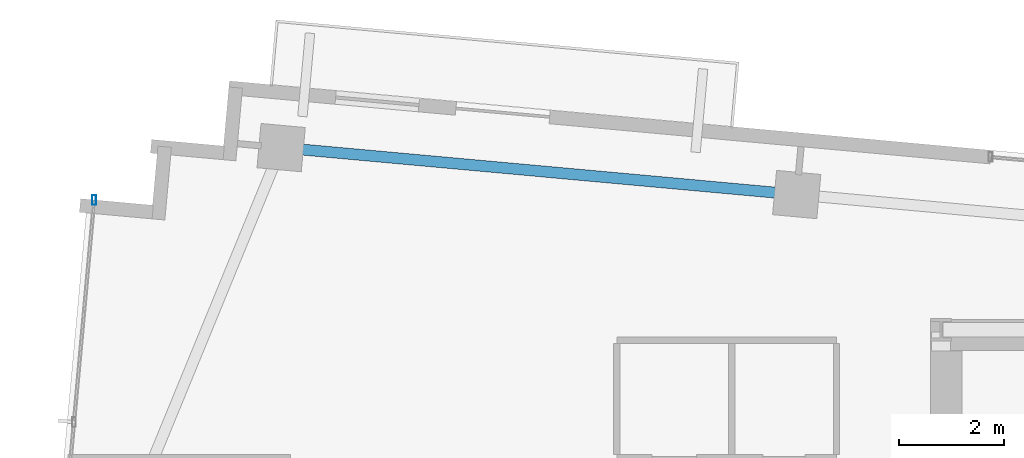
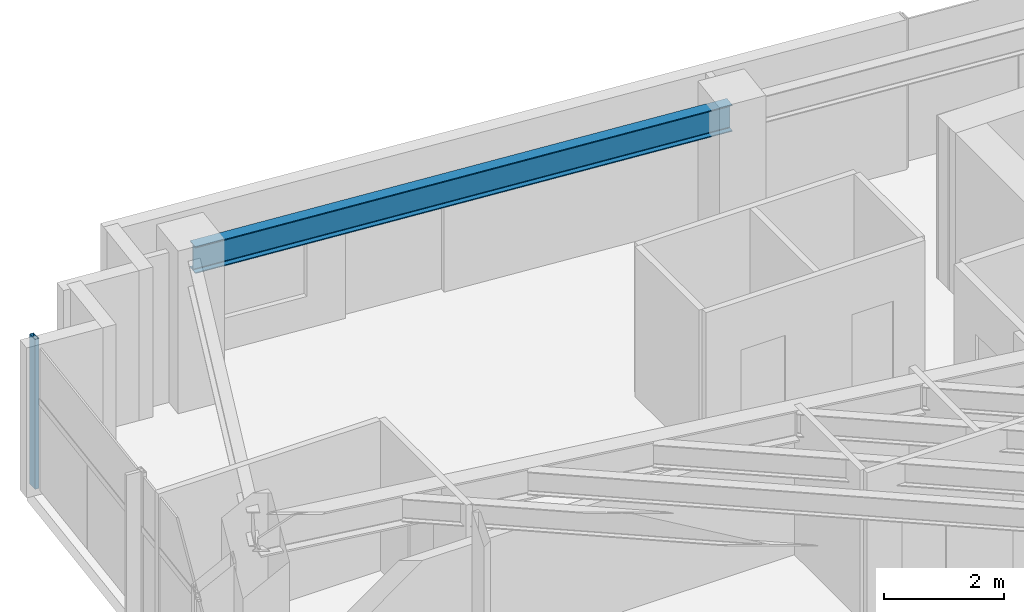
# One storey, part 9 of 22: 1 beam, 1 member, 1 element without a shape of its own.
"""IFC4 building model written with IfcOpenShell, lengths in metres."""

from ifc_helpers import new_model, si_unit, direction, frame, origin, origin_2d, place, context, subcontext, project, spatial, hollow_rectangle, i_section, extrude, source, transform, mapped, material, material_profile, profile_set, type_object, type_shapes, element, aggregate, save


model = new_model("IFC4")

# Units and contexts
model_context = context("Model", 3, precision=1e-05, world=origin(), true_north=direction((0.0, 1.0)))
body_context = subcontext(model_context, "Body", "Model", "MODEL_VIEW")
ifc_project = project(units=[si_unit("LENGTHUNIT", "METRE"), si_unit("AREAUNIT", "SQUARE_METRE"), si_unit("VOLUMEUNIT", "CUBIC_METRE"), si_unit("PLANEANGLEUNIT", "RADIAN"), si_unit("MASSUNIT", "GRAM", prefix="KILO")], contexts=[model_context])

# Site, building, storey
site_placement = place(None, origin())
site = spatial("IfcSite", under=ifc_project, at=site_placement, CompositionType="ELEMENT")
building_placement = place(site_placement, origin())
building = spatial("IfcBuilding", under=site, at=building_placement, Name="Astriad Promenade Condominiums", CompositionType="ELEMENT")
storey_placement = place(building_placement, frame((0.0, 0.0, 246.300048828125)))
storey = spatial("IfcBuildingStorey", under=building, at=storey_placement, Name="L71", CompositionType="ELEMENT", Elevation=246.300048828125)

# Beam
ifc_material_1 = material(Name="Steel ASTM A992 Grade 50", Category="steel")
ifc_material_profile_1 = material_profile(ifc_material_1, i_section(OverallWidth=0.210693359375, OverallDepth=0.53955078125, WebThickness=0.01171875, FlangeThickness=0.018798828125, FilletRadius=0.0166015625, at=origin_2d()), Name="W21X73")
ifc_profile_set_1 = profile_set([ifc_material_profile_1], Name="Steel ASTM A992 Grade 50")
beam_type = type_object("IfcBeamType", Name="STEEL SPANDREL BEAM W21X73", PredefinedType="SPANDREL", material=ifc_profile_set_1)
shared_shape_1 = source(origin(), body_context, "Body", "SweptSolid", [
    extrude(i_section(OverallWidth=0.210693359375, OverallDepth=0.53955078125, WebThickness=0.01171875, FlangeThickness=0.018798828125, FilletRadius=0.0166015625, at=origin_2d()), origin(), (0.0, 0.0, 1.0), 9.820068359375),
])
type_shapes(beam_type, [shared_shape_1])
beam_placement = place(storey_placement, frame((23.6005859375, 26.589111328125, 2.770263671875), z_axis=(-0.995883214993, 0.090645585088, 0.0), x_axis=(-0.090645585088, -0.995883214993, 0.0)))
element("IfcBeam", 1, at=beam_placement, inside=storey, type_object=beam_type, Name="Perimeter Spandrel Beam SP-N1-L71", PredefinedType="SPANDREL", context=body_context, shape_type="MappedRepresentation", body=[
    mapped(shared_shape_1, transform((0.0, 0.0, 0.0), scale=1.0)),
])

# Curtain wall, member
ifc_material_2 = material(Name="Anodised aluminium Black Dark Glass Unitised", Category="aluminium")
curtain_wall_type = type_object("IfcCurtainWallType", Name="CW-B5-DARK", PredefinedType="USERDEFINED", material=ifc_material_2)
curtain_wall_placement = place(storey_placement, origin())
curtain_wall = element("IfcCurtainWall", 2, at=curtain_wall_placement, inside=storey, type_object=curtain_wall_type, Name="CW-L71-W", ObjectType="UNITISED_CURTAIN_WALL", PredefinedType="USERDEFINED")
ifc_material_3 = material(Name="Anodised aluminium 6063-T6 Black", Category="aluminium")
ifc_material_profile_2 = material_profile(ifc_material_3, hollow_rectangle(XDim=0.074951171875, YDim=0.18505859375, WallThickness=0.00439453125, at=origin_2d()), Name="ALU-MUL-75X185")
ifc_profile_set_2 = profile_set([ifc_material_profile_2], Name="Anodised aluminium 6063-T6 Black")
member_type = type_object("IfcMemberType", Name="MUL-ALU-MUL-75X185", PredefinedType="MULLION", material=ifc_profile_set_2)
shared_shape_2 = source(origin(), body_context, "Body", "SweptSolid", [
    extrude(hollow_rectangle(XDim=0.074951171875, YDim=0.18505859375, WallThickness=0.00439453125, at=origin_2d()), origin(), (0.0, 0.0, 1.0), 3.0400390625),
])
type_shapes(member_type, [shared_shape_2])
member_placement = place(storey_placement, frame((10.205810546875, 26.482666015625, 0.0), z_axis=(0.0, 0.0, 1.0), x_axis=(1.0, 0.0, 0.0)))
member = element("IfcMember", 3, at=member_placement, type_object=member_type, Name="CW-L71-W-MUL-03", PredefinedType="MULLION", context=body_context, shape_type="MappedRepresentation", body=[
    mapped(shared_shape_2, transform((0.0, 0.0, 0.0), scale=1.0)),
])
aggregate(curtain_wall, [member])

save(model, "model.ifc")
